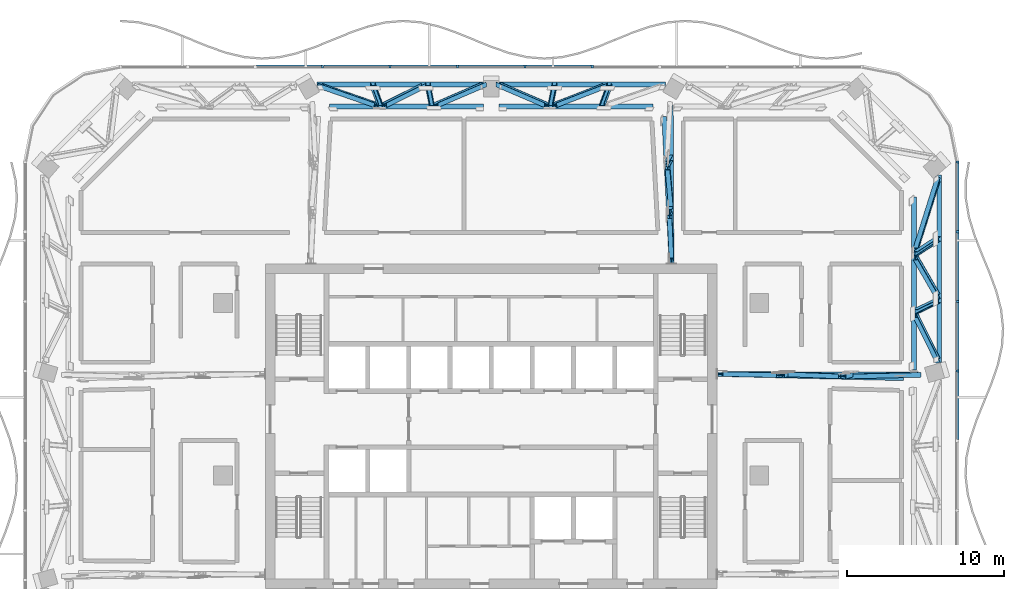
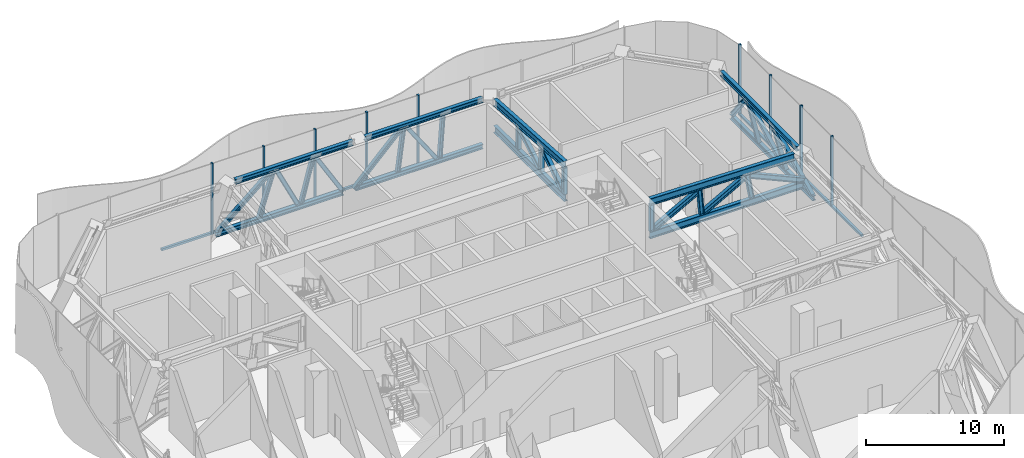
# One storey, part 7 of 29: 53 members, 2 elements without a shape of their own.
"""IFC4 building model written with IfcOpenShell, lengths in metres."""

from ifc_helpers import new_model, si_unit, direction, frame, origin, origin_2d, place, context, subcontext, project, spatial, rectangle, i_section, extrude, material, material_profile, profile_set, type_object, element, aggregate, save


model = new_model("IFC4")

# Units and contexts
model_context = context("Model", 3, precision=1e-05, world=origin(), true_north=direction((0.0, 1.0)))
body_context = subcontext(model_context, "Body", "Model", "MODEL_VIEW")
ifc_project = project(units=[si_unit("LENGTHUNIT", "METRE"), si_unit("AREAUNIT", "SQUARE_METRE"), si_unit("VOLUMEUNIT", "CUBIC_METRE"), si_unit("PLANEANGLEUNIT", "RADIAN"), si_unit("MASSUNIT", "GRAM", prefix="KILO")], contexts=[model_context])

# Site, building, storey
site_placement = place(None, origin())
site = spatial("IfcSite", under=ifc_project, at=site_placement, CompositionType="ELEMENT")
building_placement = place(site_placement, origin())
building = spatial("IfcBuilding", under=site, at=building_placement, Name="Mopane Tessera Tower", CompositionType="ELEMENT")
storey_placement = place(building_placement, frame((0.0, 0.0, 315.39990234375)))
storey = spatial("IfcBuildingStorey", under=building, at=storey_placement, Name="L69", CompositionType="ELEMENT", Elevation=315.39990234375)

# Curtain wall, members
ifc_material_1 = material(Name="Aluminium frame", Category="aluminium")
curtain_wall_type = type_object("IfcCurtainWallType", Name="Plant floor unitised wall", PredefinedType="NOTDEFINED", material=ifc_material_1)
curtain_wall_1_placement = place(storey_placement, origin())
curtain_wall_1 = element("IfcCurtainWall", 1, at=curtain_wall_1_placement, inside=storey, type_object=curtain_wall_type, Name="e:cw:L69:E:0", PredefinedType="NOTDEFINED")
ifc_material_2 = material(Name="Aluminium frame", Category="aluminium")
ifc_material_profile_1 = material_profile(ifc_material_2, rectangle(XDim=0.139892578125, YDim=0.199951171875, at=origin_2d()))
ifc_profile_set_1 = profile_set([ifc_material_profile_1], Name="Aluminium frame")
member_type_1 = type_object("IfcMemberType", Name="Aluminium mullion 140 x 200", PredefinedType="MULLION", material=ifc_profile_set_1)
member_1_placement = place(storey_placement, frame((29.75, 6.666748046875, -0.599853515625), z_axis=(0.0, 0.0, 1.0), x_axis=(0.0, 1.0, 0.0)))
member_1 = element("IfcMember", 2, at=member_1_placement, type_object=member_type_1, Name="e:cw:L69:E:0:mu6", PredefinedType="MULLION", context=body_context, shape_type="SweptSolid", body=[
    extrude(rectangle(XDim=0.139892578125, YDim=0.199951171875, at=origin_2d()), origin(), (0.0, 0.0, 1.0), 6.25),
])
member_2_placement = place(storey_placement, frame((29.75, 11.111083984375, -0.599853515625), z_axis=(0.0, 0.0, 1.0), x_axis=(0.0, 1.0, 0.0)))
member_2 = element("IfcMember", 3, at=member_2_placement, type_object=member_type_1, Name="e:cw:L69:E:0:mu7", PredefinedType="MULLION", context=body_context, shape_type="SweptSolid", body=[
    extrude(rectangle(XDim=0.139892578125, YDim=0.199951171875, at=origin_2d()), origin(), (0.0, 0.0, 1.0), 6.25),
])
member_3_placement = place(storey_placement, frame((29.75, 15.5556640625, -0.599853515625), z_axis=(0.0, 0.0, 1.0), x_axis=(0.0, 1.0, 0.0)))
member_3 = element("IfcMember", 4, at=member_3_placement, type_object=member_type_1, Name="e:cw:L69:E:0:mu8", PredefinedType="MULLION", context=body_context, shape_type="SweptSolid", body=[
    extrude(rectangle(XDim=0.139892578125, YDim=0.199951171875, at=origin_2d()), origin(), (0.0, 0.0, 1.0), 6.25),
])
member_4_placement = place(storey_placement, frame((29.75, 20.0, -0.599853515625), z_axis=(0.0, 0.0, 1.0), x_axis=(0.0, 1.0, 0.0)))
member_4 = element("IfcMember", 5, at=member_4_placement, type_object=member_type_1, Name="e:cw:L69:E:0:mu9", PredefinedType="MULLION", context=body_context, shape_type="SweptSolid", body=[
    extrude(rectangle(XDim=0.139892578125, YDim=0.199951171875, at=origin_2d()), origin(), (0.0, 0.0, 1.0), 6.25),
])

curtain_wall_2_placement = place(storey_placement, origin())
curtain_wall_2 = element("IfcCurtainWall", 6, at=curtain_wall_2_placement, inside=storey, type_object=curtain_wall_type, Name="e:cw:L69:N:0", PredefinedType="NOTDEFINED")
member_5_placement = place(storey_placement, frame((6.449951171875, 26.10009765625, -0.599853515625), z_axis=(0.0, 0.0, 1.0), x_axis=(-1.0, 0.0, 0.0)))
member_5 = element("IfcMember", 7, at=member_5_placement, type_object=member_type_1, Name="e:cw:L69:N:0:mu4", PredefinedType="MULLION", context=body_context, shape_type="SweptSolid", body=[
    extrude(rectangle(XDim=0.139892578125, YDim=0.199951171875, at=origin_2d()), origin(), (0.0, 0.0, 1.0), 6.25),
])
member_6_placement = place(storey_placement, frame((2.14990234375, 26.10009765625, -0.599853515625), z_axis=(0.0, 0.0, 1.0), x_axis=(-1.0, 0.0, 0.0)))
member_6 = element("IfcMember", 8, at=member_6_placement, type_object=member_type_1, Name="e:cw:L69:N:0:mu5", PredefinedType="MULLION", context=body_context, shape_type="SweptSolid", body=[
    extrude(rectangle(XDim=0.139892578125, YDim=0.199951171875, at=origin_2d()), origin(), (0.0, 0.0, 1.0), 6.25),
])
member_7_placement = place(storey_placement, frame((-2.14990234375, 26.10009765625, -0.599853515625), z_axis=(0.0, 0.0, 1.0), x_axis=(-1.0, 0.0, 0.0)))
member_7 = element("IfcMember", 9, at=member_7_placement, type_object=member_type_1, Name="e:cw:L69:N:0:mu6", PredefinedType="MULLION", context=body_context, shape_type="SweptSolid", body=[
    extrude(rectangle(XDim=0.139892578125, YDim=0.199951171875, at=origin_2d()), origin(), (0.0, 0.0, 1.0), 6.25),
])
member_8_placement = place(storey_placement, frame((-6.449951171875, 26.10009765625, -0.599853515625), z_axis=(0.0, 0.0, 1.0), x_axis=(-1.0, 0.0, 0.0)))
member_8 = element("IfcMember", 10, at=member_8_placement, type_object=member_type_1, Name="e:cw:L69:N:0:mu7", PredefinedType="MULLION", context=body_context, shape_type="SweptSolid", body=[
    extrude(rectangle(XDim=0.139892578125, YDim=0.199951171875, at=origin_2d()), origin(), (0.0, 0.0, 1.0), 6.25),
])
member_9_placement = place(storey_placement, frame((-10.75, 26.10009765625, -0.599853515625), z_axis=(0.0, 0.0, 1.0), x_axis=(-1.0, 0.0, 0.0)))
member_9 = element("IfcMember", 11, at=member_9_placement, type_object=member_type_1, Name="e:cw:L69:N:0:mu8", PredefinedType="MULLION", context=body_context, shape_type="SweptSolid", body=[
    extrude(rectangle(XDim=0.139892578125, YDim=0.199951171875, at=origin_2d()), origin(), (0.0, 0.0, 1.0), 6.25),
])

# Member
ifc_material_3 = material(Name="Aluminium frame", Category="aluminium")
ifc_material_profile_2 = material_profile(ifc_material_3, rectangle(XDim=0.199951171875, YDim=0.179931640625, at=origin_2d()))
ifc_profile_set_2 = profile_set([ifc_material_profile_2], Name="Aluminium frame")
member_type_2 = type_object("IfcMemberType", Name="Aluminium transom 200 x 180", PredefinedType="USERDEFINED", material=ifc_profile_set_2)
member_10_placement = place(storey_placement, frame((29.75, 2.292236328125, -0.510009765625), z_axis=(0.0, 1.0, 0.0), x_axis=(-1.0, 0.0, 0.0)))
member_10 = element("IfcMember", 12, at=member_10_placement, type_object=member_type_2, Name="e:cw:L69:E:0:tr5", ObjectType="TRANSOM", PredefinedType="USERDEFINED", context=body_context, shape_type="SweptSolid", body=[
    extrude(rectangle(XDim=0.199951171875, YDim=0.179931640625, at=origin_2d()), origin(), (0.0, 0.0, 1.0), 4.304443359375),
])

member_11_placement = place(storey_placement, frame((29.75, 6.736572265625, -0.510009765625), z_axis=(0.0, 1.0, 0.0), x_axis=(-1.0, 0.0, 0.0)))
member_11 = element("IfcMember", 13, at=member_11_placement, type_object=member_type_2, Name="e:cw:L69:E:0:tr6", ObjectType="TRANSOM", PredefinedType="USERDEFINED", context=body_context, shape_type="SweptSolid", body=[
    extrude(rectangle(XDim=0.199951171875, YDim=0.179931640625, at=origin_2d()), origin(), (0.0, 0.0, 1.0), 4.304443359375),
])

member_12_placement = place(storey_placement, frame((29.75, 11.18115234375, -0.510009765625), z_axis=(0.0, 1.0, 0.0), x_axis=(-1.0, 0.0, 0.0)))
member_12 = element("IfcMember", 14, at=member_12_placement, type_object=member_type_2, Name="e:cw:L69:E:0:tr7", ObjectType="TRANSOM", PredefinedType="USERDEFINED", context=body_context, shape_type="SweptSolid", body=[
    extrude(rectangle(XDim=0.199951171875, YDim=0.179931640625, at=origin_2d()), origin(), (0.0, 0.0, 1.0), 4.304443359375),
])

member_13_placement = place(storey_placement, frame((29.75, 15.62548828125, -0.510009765625), z_axis=(0.0, 1.0, 0.0), x_axis=(-1.0, 0.0, 0.0)))
member_13 = element("IfcMember", 15, at=member_13_placement, type_object=member_type_2, Name="e:cw:L69:E:0:tr8", ObjectType="TRANSOM", PredefinedType="USERDEFINED", context=body_context, shape_type="SweptSolid", body=[
    extrude(rectangle(XDim=0.199951171875, YDim=0.179931640625, at=origin_2d()), origin(), (0.0, 0.0, 1.0), 4.304443359375),
])

aggregate(curtain_wall_1, [member_1, member_2, member_3, member_4, member_10, member_11, member_12, member_13])

member_14_placement = place(storey_placement, frame((6.3798828125, 26.10009765625, -0.510009765625), z_axis=(-1.0, 0.0, 0.0), x_axis=(0.0, -1.0, 0.0)))
member_14 = element("IfcMember", 16, at=member_14_placement, type_object=member_type_2, Name="e:cw:L69:N:0:tr4", ObjectType="TRANSOM", PredefinedType="USERDEFINED", context=body_context, shape_type="SweptSolid", body=[
    extrude(rectangle(XDim=0.199951171875, YDim=0.179931640625, at=origin_2d()), origin(), (0.0, 0.0, 1.0), 4.159912109375),
])

member_15_placement = place(storey_placement, frame((2.080078125, 26.10009765625, -0.510009765625), z_axis=(-1.0, 0.0, 0.0), x_axis=(0.0, -1.0, 0.0)))
member_15 = element("IfcMember", 17, at=member_15_placement, type_object=member_type_2, Name="e:cw:L69:N:0:tr5", ObjectType="TRANSOM", PredefinedType="USERDEFINED", context=body_context, shape_type="SweptSolid", body=[
    extrude(rectangle(XDim=0.199951171875, YDim=0.179931640625, at=origin_2d()), origin(), (0.0, 0.0, 1.0), 4.16015625),
])

member_16_placement = place(storey_placement, frame((-2.219970703125, 26.10009765625, -0.510009765625), z_axis=(-1.0, 0.0, 0.0), x_axis=(0.0, -1.0, 0.0)))
member_16 = element("IfcMember", 18, at=member_16_placement, type_object=member_type_2, Name="e:cw:L69:N:0:tr6", ObjectType="TRANSOM", PredefinedType="USERDEFINED", context=body_context, shape_type="SweptSolid", body=[
    extrude(rectangle(XDim=0.199951171875, YDim=0.179931640625, at=origin_2d()), origin(), (0.0, 0.0, 1.0), 4.159912109375),
])

member_17_placement = place(storey_placement, frame((-6.52001953125, 26.10009765625, -0.510009765625), z_axis=(-1.0, 0.0, 0.0), x_axis=(0.0, -1.0, 0.0)))
member_17 = element("IfcMember", 19, at=member_17_placement, type_object=member_type_2, Name="e:cw:L69:N:0:tr7", ObjectType="TRANSOM", PredefinedType="USERDEFINED", context=body_context, shape_type="SweptSolid", body=[
    extrude(rectangle(XDim=0.199951171875, YDim=0.179931640625, at=origin_2d()), origin(), (0.0, 0.0, 1.0), 4.159912109375),
])

member_18_placement = place(storey_placement, frame((-10.820068359375, 26.10009765625, -0.510009765625), z_axis=(-1.0, 0.0, 0.0), x_axis=(0.0, -1.0, 0.0)))
member_18 = element("IfcMember", 20, at=member_18_placement, type_object=member_type_2, Name="e:cw:L69:N:0:tr8", ObjectType="TRANSOM", PredefinedType="USERDEFINED", context=body_context, shape_type="SweptSolid", body=[
    extrude(rectangle(XDim=0.199951171875, YDim=0.179931640625, at=origin_2d()), origin(), (0.0, 0.0, 1.0), 4.159912109375),
])

aggregate(curtain_wall_2, [member_5, member_6, member_7, member_8, member_9, member_14, member_15, member_16, member_17, member_18])

# Members
ifc_material_4 = material(Name="Structural steel S460", Category="steel")
ifc_material_profile_3 = material_profile(ifc_material_4, i_section(OverallWidth=0.306884765625, OverallDepth=0.431884765625, WebThickness=0.02099609375, FlangeThickness=0.0400390625, FilletRadius=0.027099609375, at=origin_2d()))
ifc_profile_set_3 = profile_set([ifc_material_profile_3], Name="Structural steel S460")
member_type_3 = type_object("IfcMemberType", Name="Belt truss chord HE 400 M", PredefinedType="CHORD", material=ifc_profile_set_3)
member_19_placement = place(storey_placement, frame((28.583251953125, 7.211669921875, 0.216064453125), z_axis=(0.0, 1.0, 0.0), x_axis=(-1.0, 0.0, 0.0)))
element("IfcMember", 21, at=member_19_placement, inside=storey, type_object=member_type_3, Name="Belt truss bottom chord L69 E2-E3", PredefinedType="CHORD", context=body_context, shape_type="SweptSolid", body=[
    extrude(i_section(OverallWidth=0.306884765625, OverallDepth=0.431884765625, WebThickness=0.02099609375, FlangeThickness=0.0400390625, FilletRadius=0.027099609375, at=origin_2d()), origin(), (0.0, 0.0, 1.0), 11.948974609375),
])
member_20_placement = place(storey_placement, frame((26.974609375, 6.747802734375, 5.43408203125), z_axis=(0.0, 1.0, 0.0), x_axis=(-1.0, 0.0, 0.0)))
element("IfcMember", 22, at=member_20_placement, inside=storey, type_object=member_type_3, Name="Belt truss top chord L69 E2-E3", PredefinedType="CHORD", context=body_context, shape_type="SweptSolid", body=[
    extrude(i_section(OverallWidth=0.306884765625, OverallDepth=0.431884765625, WebThickness=0.02099609375, FlangeThickness=0.0400390625, FilletRadius=0.027099609375, at=origin_2d()), origin(), (0.0, 0.0, 1.0), 11.021484375),
])
member_21_placement = place(storey_placement, frame((11.1259765625, 24.9423828125, 0.216064453125), z_axis=(-1.0, 0.0, 0.0), x_axis=(0.0, -1.0, 0.0)))
element("IfcMember", 23, at=member_21_placement, inside=storey, type_object=member_type_3, Name="Belt truss bottom chord L69 N1-N2", PredefinedType="CHORD", context=body_context, shape_type="SweptSolid", body=[
    extrude(i_section(OverallWidth=0.306884765625, OverallDepth=0.431884765625, WebThickness=0.02099609375, FlangeThickness=0.0400390625, FilletRadius=0.027099609375, at=origin_2d()), origin(), (0.0, 0.0, 1.0), 10.62646484375),
])
member_22_placement = place(storey_placement, frame((10.321533203125, 23.55078125, 5.43408203125), z_axis=(-1.0, 0.0, 0.0), x_axis=(0.0, -1.0, 0.0)))
element("IfcMember", 24, at=member_22_placement, inside=storey, type_object=member_type_3, Name="Belt truss top chord L69 N1-N2", PredefinedType="CHORD", context=body_context, shape_type="SweptSolid", body=[
    extrude(i_section(OverallWidth=0.306884765625, OverallDepth=0.431884765625, WebThickness=0.02099609375, FlangeThickness=0.0400390625, FilletRadius=0.027099609375, at=origin_2d()), origin(), (0.0, 0.0, 1.0), 9.822021484375),
])
member_23_placement = place(storey_placement, frame((-0.49951171875, 24.9423828125, 0.216064453125), z_axis=(-1.0, 0.0, 0.0), x_axis=(0.0, -1.0, 0.0)))
element("IfcMember", 25, at=member_23_placement, inside=storey, type_object=member_type_3, Name="Belt truss bottom chord L69 N2-N3", PredefinedType="CHORD", context=body_context, shape_type="SweptSolid", body=[
    extrude(i_section(OverallWidth=0.306884765625, OverallDepth=0.431884765625, WebThickness=0.02099609375, FlangeThickness=0.0400390625, FilletRadius=0.027099609375, at=origin_2d()), origin(), (0.0, 0.0, 1.0), 10.62646484375),
])
member_24_placement = place(storey_placement, frame((-0.49951171875, 23.55078125, 5.43408203125), z_axis=(-1.0, 0.0, 0.0), x_axis=(0.0, -1.0, 0.0)))
element("IfcMember", 26, at=member_24_placement, inside=storey, type_object=member_type_3, Name="Belt truss top chord L69 N2-N3", PredefinedType="CHORD", context=body_context, shape_type="SweptSolid", body=[
    extrude(i_section(OverallWidth=0.306884765625, OverallDepth=0.431884765625, WebThickness=0.02099609375, FlangeThickness=0.0400390625, FilletRadius=0.027099609375, at=origin_2d()), origin(), (0.0, 0.0, 1.0), 9.822021484375),
])
ifc_material_5 = material(Name="Structural steel S460", Category="steel")
ifc_material_profile_4 = material_profile(ifc_material_5, i_section(OverallWidth=0.300048828125, OverallDepth=0.340087890625, WebThickness=0.011962890625, FlangeThickness=0.021484375, FilletRadius=0.027099609375, at=origin_2d()))
ifc_profile_set_4 = profile_set([ifc_material_profile_4], Name="Structural steel S460")
member_type_4 = type_object("IfcMemberType", Name="Belt truss diagonal HE 340 B", PredefinedType="BRACE", material=ifc_profile_set_4)
member_25_placement = place(storey_placement, frame((28.49462890625, 7.3359375, 0.503662109375), z_axis=(-0.253306018781, 0.510673229061, 0.821613603812), x_axis=(-0.967386200464, -0.133718232126, -0.215135709607)))
element("IfcMember", 27, at=member_25_placement, inside=storey, type_object=member_type_4, Name="Belt truss diagonal 0 L69 E2-E3", PredefinedType="BRACE", context=body_context, shape_type="SweptSolid", body=[
    extrude(i_section(OverallWidth=0.300048828125, OverallDepth=0.340087890625, WebThickness=0.011962890625, FlangeThickness=0.021484375, FilletRadius=0.027099609375, at=origin_2d()), origin(), (0.0, 0.0, 1.0), 5.65087890625),
])
member_26_placement = place(storey_placement, frame((28.49560546875, 11.4228515625, 0.500244140625), z_axis=(-0.262367213217, 0.454751960772, 0.851095822809), x_axis=(-0.964968100359, -0.123548841915, -0.231456797158)))
element("IfcMember", 28, at=member_26_placement, inside=storey, type_object=member_type_4, Name="Belt truss diagonal 1 L69 E2-E3", PredefinedType="BRACE", context=body_context, shape_type="SweptSolid", body=[
    extrude(i_section(OverallWidth=0.300048828125, OverallDepth=0.340087890625, WebThickness=0.011962890625, FlangeThickness=0.021484375, FilletRadius=0.027099609375, at=origin_2d()), origin(), (0.0, 0.0, 1.0), 5.463134765625),
])
member_27_placement = place(storey_placement, frame((27.063232421875, 14.396728515625, 5.146484375), z_axis=(0.215656055351, 0.68132306213, -0.699493638856), x_axis=(-0.976469388038, 0.150469293211, -0.154487947832)))
element("IfcMember", 29, at=member_27_placement, inside=storey, type_object=member_type_4, Name="Belt truss diagonal 2 L69 E2-E3", PredefinedType="BRACE", context=body_context, shape_type="SweptSolid", body=[
    extrude(i_section(OverallWidth=0.300048828125, OverallDepth=0.340087890625, WebThickness=0.011962890625, FlangeThickness=0.021484375, FilletRadius=0.027099609375, at=origin_2d()), origin(), (0.0, 0.0, 1.0), 6.637451171875),
])
member_28_placement = place(storey_placement, frame((7.265380859375, 24.86962890625, 0.489013671875), z_axis=(-0.554643028362, -0.214429481651, 0.803984520055), x_axis=(0.121783123263, -0.976739472372, -0.176490435997)))
element("IfcMember", 30, at=member_28_placement, inside=storey, type_object=member_type_4, Name="Belt truss diagonal 1 L69 N1-N2", PredefinedType="BRACE", context=body_context, shape_type="SweptSolid", body=[
    extrude(i_section(OverallWidth=0.300048828125, OverallDepth=0.340087890625, WebThickness=0.011962890625, FlangeThickness=0.021484375, FilletRadius=0.027099609375, at=origin_2d()), origin(), (0.0, 0.0, 1.0), 5.811279296875),
])
for number, where, z_axis, x_axis, name in (
    (31, (3.53662109375, 23.624755859375, 5.1572265625), (-0.514516400372, 0.220925514314, -0.828531707826), (-0.116524647669, -0.975290682976, -0.187696803877), "Belt truss diagonal 2 L69 N1-N2"),
    (32, (-0.44921875, 24.950439453125, 0.185546875), (-0.514516400372, -0.220925514314, 0.828531707826), (0.116524647669, -0.975290682976, -0.187696803877), "Belt truss diagonal 0 L69 N2-N3"),
):
    element("IfcMember", number, at=place(storey_placement, frame(where, z_axis=z_axis, x_axis=x_axis)), inside=storey, type_object=member_type_4, Name=name, PredefinedType="BRACE", context=body_context, shape_type="SweptSolid", body=[
        extrude(i_section(OverallWidth=0.300048828125, OverallDepth=0.340087890625, WebThickness=0.011962890625, FlangeThickness=0.021484375, FilletRadius=0.027099609375, at=origin_2d()), origin(), (0.0, 0.0, 1.0), 6.00048828125),
    ])
member_29_placement = place(storey_placement, frame((-4.306396484375, 24.86962890625, 0.489013671875), z_axis=(-0.461243661488, -0.228650703985, 0.857305744939), x_axis=(0.108365720861, -0.973508528112, -0.201340547917)))
element("IfcMember", 33, at=member_29_placement, inside=storey, type_object=member_type_4, Name="Belt truss diagonal 1 L69 N2-N3", PredefinedType="BRACE", context=body_context, shape_type="SweptSolid", body=[
    extrude(i_section(OverallWidth=0.300048828125, OverallDepth=0.340087890625, WebThickness=0.011962890625, FlangeThickness=0.021484375, FilletRadius=0.027099609375, at=origin_2d()), origin(), (0.0, 0.0, 1.0), 5.44970703125),
])
member_30_placement = place(storey_placement, frame((-7.326416015625, 23.624755859375, 5.1572265625), z_axis=(-0.596995763075, 0.20672104206, -0.775153191079), x_axis=(-0.126136762894, -0.978399923737, -0.16377761226)))
element("IfcMember", 34, at=member_30_placement, inside=storey, type_object=member_type_4, Name="Belt truss diagonal 2 L69 N2-N3", PredefinedType="BRACE", context=body_context, shape_type="SweptSolid", body=[
    extrude(i_section(OverallWidth=0.300048828125, OverallDepth=0.340087890625, WebThickness=0.011962890625, FlangeThickness=0.021484375, FilletRadius=0.027099609375, at=origin_2d()), origin(), (0.0, 0.0, 1.0), 6.017333984375),
])
ifc_material_6 = material(Name="Structural steel S460", Category="steel")
ifc_material_profile_5 = material_profile(ifc_material_6, i_section(OverallWidth=0.300048828125, OverallDepth=0.300048828125, WebThickness=0.010986328125, FlangeThickness=0.01904296875, FilletRadius=0.027099609375, at=origin_2d()))
ifc_profile_set_5 = profile_set([ifc_material_profile_5], Name="Structural steel S460")
member_type_5 = type_object("IfcMemberType", Name="Belt truss post HE 300 B", PredefinedType="POST", material=ifc_profile_set_5)
member_31_placement = place(storey_placement, frame((28.5166015625, 11.1708984375, 0.43212890625), z_axis=(-0.291615590577, -0.14173009921, 0.945977233505), x_axis=(-0.956535595718, 0.043169287221, -0.288402612271)))
element("IfcMember", 35, at=member_31_placement, inside=storey, type_object=member_type_5, Name="Belt truss post 1 L69 E2-E3", PredefinedType="POST", context=body_context, shape_type="SweptSolid", body=[
    extrude(i_section(OverallWidth=0.300048828125, OverallDepth=0.300048828125, WebThickness=0.010986328125, FlangeThickness=0.01904296875, FilletRadius=0.027099609375, at=origin_2d()), origin(), (0.0, 0.0, 1.0), 5.05908203125),
])
member_32_placement = place(storey_placement, frame((28.5166015625, 15.10888671875, 0.43212890625), z_axis=(-0.289217477998, -0.19009959004, 0.938197951547), x_axis=(-0.95726341728, 0.057415308249, -0.283461165447)))
element("IfcMember", 36, at=member_32_placement, inside=storey, type_object=member_type_5, Name="Belt truss post 2 L69 E2-E3", PredefinedType="POST", context=body_context, shape_type="SweptSolid", body=[
    extrude(i_section(OverallWidth=0.300048828125, OverallDepth=0.300048828125, WebThickness=0.010986328125, FlangeThickness=0.01904296875, FilletRadius=0.027099609375, at=origin_2d()), origin(), (0.0, 0.0, 1.0), 5.10107421875),
])
member_33_placement = place(storey_placement, frame((7.542236328125, 24.884765625, 0.43212890625), z_axis=(-0.095139442992, -0.256518312512, 0.961845539436), x_axis=(0.025189609701, -0.966539369047, -0.255278537375)))
element("IfcMember", 37, at=member_33_placement, inside=storey, type_object=member_type_5, Name="Belt truss post 1 L69 N1-N2", PredefinedType="POST", context=body_context, shape_type="SweptSolid", body=[
    extrude(i_section(OverallWidth=0.300048828125, OverallDepth=0.300048828125, WebThickness=0.010986328125, FlangeThickness=0.01904296875, FilletRadius=0.027099609375, at=origin_2d()), origin(), (0.0, 0.0, 1.0), 4.975830078125),
])
for number, where, z_axis, x_axis, name in (
    (38, (4.038330078125, 24.884765625, 0.43212890625), (-0.051096004315, -0.257350588206, 0.964966254899), (0.0136135181, -0.966318102242, -0.256990267139), "Belt truss post 2 L69 N1-N2"),
    (39, (-4.038330078125, 24.884765625, 0.43212890625), (0.051096004315, -0.257350588206, 0.964966254899), (-0.0136135181, -0.966318102242, -0.256990267139), "Belt truss post 1 L69 N2-N3"),
):
    element("IfcMember", number, at=place(storey_placement, frame(where, z_axis=z_axis, x_axis=x_axis)), inside=storey, type_object=member_type_5, Name=name, PredefinedType="POST", context=body_context, shape_type="SweptSolid", body=[
        extrude(i_section(OverallWidth=0.300048828125, OverallDepth=0.300048828125, WebThickness=0.010986328125, FlangeThickness=0.01904296875, FilletRadius=0.027099609375, at=origin_2d()), origin(), (0.0, 0.0, 1.0), 4.959716796875),
    ])
member_34_placement = place(storey_placement, frame((-7.542236328125, 24.884765625, 0.43212890625), z_axis=(0.095139442992, -0.256518312512, 0.961845539436), x_axis=(-0.025189609701, -0.966539369047, -0.255278537375)))
element("IfcMember", 40, at=member_34_placement, inside=storey, type_object=member_type_5, Name="Belt truss post 2 L69 N2-N3", PredefinedType="POST", context=body_context, shape_type="SweptSolid", body=[
    extrude(i_section(OverallWidth=0.300048828125, OverallDepth=0.300048828125, WebThickness=0.010986328125, FlangeThickness=0.01904296875, FilletRadius=0.027099609375, at=origin_2d()), origin(), (0.0, 0.0, 1.0), 4.975830078125),
])
ifc_material_7 = material(Name="Structural steel S460", Category="steel")
ifc_material_profile_6 = material_profile(ifc_material_7, i_section(OverallWidth=0.304931640625, OverallDepth=0.6201171875, WebThickness=0.02099609375, FlangeThickness=0.0400390625, FilletRadius=0.027099609375, at=origin_2d()))
ifc_profile_set_6 = profile_set([ifc_material_profile_6], Name="Structural steel S460")
member_type_6 = type_object("IfcMemberType", Name="Outrigger truss chord HE 600 M", PredefinedType="CHORD", material=ifc_profile_set_6)
member_35_placement = place(storey_placement, frame((14.414794921875, 6.47998046875, 2.41015625), z_axis=(0.999997916746, -0.002041201394, 0.0), x_axis=(0.002041201394, 0.999997916746, 0.0)))
element("IfcMember", 41, at=member_35_placement, inside=storey, type_object=member_type_6, Name="Outrigger truss bottom chord L69 E2", PredefinedType="CHORD", context=body_context, shape_type="SweptSolid", body=[
    extrude(i_section(OverallWidth=0.304931640625, OverallDepth=0.6201171875, WebThickness=0.02099609375, FlangeThickness=0.0400390625, FilletRadius=0.027099609375, at=origin_2d()), origin(), (0.0, 0.0, 1.0), 12.7978515625),
])
member_36_placement = place(storey_placement, frame((14.414794921875, 6.479736328125, 5.340087890625), z_axis=(0.999738976963, -0.022846836568, 0.0), x_axis=(0.022846836568, 0.999738976963, 0.0)))
element("IfcMember", 42, at=member_36_placement, inside=storey, type_object=member_type_6, Name="Outrigger truss top chord L69 E2", PredefinedType="CHORD", context=body_context, shape_type="SweptSolid", body=[
    extrude(i_section(OverallWidth=0.304931640625, OverallDepth=0.6201171875, WebThickness=0.02099609375, FlangeThickness=0.0400390625, FilletRadius=0.027099609375, at=origin_2d()), origin(), (0.0, 0.0, 1.0), 11.8935546875),
])
member_37_placement = place(storey_placement, frame((11.501220703125, 13.51513671875, 2.41015625), z_axis=(-0.004417899042, 0.999990241036, 0.0), x_axis=(-0.999990241036, -0.004417899042, 0.0)))
element("IfcMember", 43, at=member_37_placement, inside=storey, type_object=member_type_6, Name="Outrigger truss bottom chord L69 N1", PredefinedType="CHORD", context=body_context, shape_type="SweptSolid", body=[
    extrude(i_section(OverallWidth=0.304931640625, OverallDepth=0.6201171875, WebThickness=0.02099609375, FlangeThickness=0.0400390625, FilletRadius=0.027099609375, at=origin_2d()), origin(), (0.0, 0.0, 1.0), 10.11279296875),
])
member_38_placement = place(storey_placement, frame((11.50048828125, 13.51513671875, 5.340087890625), z_axis=(-0.04952678276, 0.99877279588, 0.0), x_axis=(-0.99877279588, -0.04952678276, 0.0)))
element("IfcMember", 44, at=member_38_placement, inside=storey, type_object=member_type_6, Name="Outrigger truss top chord L69 N1", PredefinedType="CHORD", context=body_context, shape_type="SweptSolid", body=[
    extrude(i_section(OverallWidth=0.304931640625, OverallDepth=0.6201171875, WebThickness=0.02099609375, FlangeThickness=0.0400390625, FilletRadius=0.027099609375, at=origin_2d()), origin(), (0.0, 0.0, 1.0), 9.3955078125),
])
ifc_material_8 = material(Name="Structural steel S460", Category="steel")
ifc_material_profile_7 = material_profile(ifc_material_8, i_section(OverallWidth=0.300048828125, OverallDepth=0.449951171875, WebThickness=0.013916015625, FlangeThickness=0.02587890625, FilletRadius=0.027099609375, at=origin_2d()))
ifc_profile_set_7 = profile_set([ifc_material_profile_7], Name="Structural steel S460")
member_type_7 = type_object("IfcMemberType", Name="Outrigger truss diagonal HE 450 B", PredefinedType="BRACE", material=ifc_profile_set_7)
member_39_placement = place(storey_placement, frame((14.840576171875, 6.477783203125, 2.89990234375), z_axis=(0.87115482148, -0.018241185983, 0.490669477496), x_axis=(0.016385870183, 0.999833112573, 0.008077763394)))
element("IfcMember", 45, at=member_39_placement, inside=storey, type_object=member_type_7, Name="Outrigger truss diagonal 0 L69 E2", PredefinedType="BRACE", context=body_context, shape_type="SweptSolid", body=[
    extrude(i_section(OverallWidth=0.300048828125, OverallDepth=0.449951171875, WebThickness=0.013916015625, FlangeThickness=0.02587890625, FilletRadius=0.027099609375, at=origin_2d()), origin(), (0.0, 0.0, 1.0), 3.97509765625),
])
member_40_placement = place(storey_placement, frame((18.9814453125, 6.45556640625, 2.89990234375), z_axis=(0.858780216569, -0.033086621355, 0.511274696339), x_axis=(0.02896148296, 0.999451947802, 0.016032359141)))
element("IfcMember", 46, at=member_40_placement, inside=storey, type_object=member_type_7, Name="Outrigger truss diagonal 1 L69 E2", PredefinedType="BRACE", context=body_context, shape_type="SweptSolid", body=[
    extrude(i_section(OverallWidth=0.300048828125, OverallDepth=0.449951171875, WebThickness=0.013916015625, FlangeThickness=0.02587890625, FilletRadius=0.027099609375, at=origin_2d()), origin(), (0.0, 0.0, 1.0), 3.81494140625),
])
member_41_placement = place(storey_placement, frame((22.7255859375, 6.320556640625, 4.847412109375), z_axis=(0.90873619253, 0.020666294962, -0.416859012903), x_axis=(-0.018429745366, 0.999786068017, 0.009389498671)))
element("IfcMember", 47, at=member_41_placement, inside=storey, type_object=member_type_7, Name="Outrigger truss diagonal 2 L69 E2", PredefinedType="BRACE", context=body_context, shape_type="SweptSolid", body=[
    extrude(i_section(OverallWidth=0.300048828125, OverallDepth=0.449951171875, WebThickness=0.013916015625, FlangeThickness=0.02587890625, FilletRadius=0.027099609375, at=origin_2d()), origin(), (0.0, 0.0, 1.0), 5.04443359375),
])
member_42_placement = place(storey_placement, frame((11.495849609375, 13.970458984375, 2.87841796875), z_axis=(-0.037430039628, 0.78866145746, 0.613687296308), x_axis=(-0.999295714762, -0.031173882867, -0.020886921376)))
element("IfcMember", 48, at=member_42_placement, inside=storey, type_object=member_type_7, Name="Outrigger truss diagonal 0 L69 N1", PredefinedType="BRACE", context=body_context, shape_type="SweptSolid", body=[
    extrude(i_section(OverallWidth=0.300048828125, OverallDepth=0.449951171875, WebThickness=0.013916015625, FlangeThickness=0.02587890625, FilletRadius=0.027099609375, at=origin_2d()), origin(), (0.0, 0.0, 1.0), 3.248291015625),
])
member_43_placement = place(storey_placement, frame((11.459228515625, 17.242919921875, 2.87841796875), z_axis=(-0.068861211155, 0.767388712521, 0.637473683766), x_axis=(-0.997622398362, -0.054744331684, -0.041864166471)))
element("IfcMember", 49, at=member_43_placement, inside=storey, type_object=member_type_7, Name="Outrigger truss diagonal 1 L69 N1", PredefinedType="BRACE", context=body_context, shape_type="SweptSolid", body=[
    extrude(i_section(OverallWidth=0.300048828125, OverallDepth=0.449951171875, WebThickness=0.013916015625, FlangeThickness=0.02587890625, FilletRadius=0.027099609375, at=origin_2d()), origin(), (0.0, 0.0, 1.0), 3.126953125),
])
ifc_material_9 = material(Name="Structural steel S460", Category="steel")
ifc_material_profile_8 = material_profile(ifc_material_9, i_section(OverallWidth=0.300048828125, OverallDepth=0.360107421875, WebThickness=0.012451171875, FlangeThickness=0.0224609375, FilletRadius=0.027099609375, at=origin_2d()))
ifc_profile_set_8 = profile_set([ifc_material_profile_8], Name="Structural steel S460")
member_type_8 = type_object("IfcMemberType", Name="Outrigger truss post HE 360 B", PredefinedType="POST", material=ifc_profile_set_8)
member_44_placement = place(storey_placement, frame((14.594482421875, 6.479248046875, 2.72021484375), z_axis=(-0.004439229719, -0.001268351348, 0.999989342205), x_axis=(0.004490773955, 0.999989086574, 0.001288286814)))
element("IfcMember", 50, at=member_44_placement, inside=storey, type_object=member_type_8, Name="Outrigger truss post 0 L69 E2", PredefinedType="POST", context=body_context, shape_type="SweptSolid", body=[
    extrude(i_section(OverallWidth=0.300048828125, OverallDepth=0.360107421875, WebThickness=0.012451171875, FlangeThickness=0.0224609375, FilletRadius=0.027099609375, at=origin_2d()), origin(), (0.0, 0.0, 1.0), 2.309814453125),
])
member_45_placement = place(storey_placement, frame((18.75244140625, 6.462158203125, 2.72021484375), z_axis=(-0.099556408627, -0.02869999953, 0.994617932439), x_axis=(-0.000750394843, 0.999585826904, 0.028768238752)))
element("IfcMember", 51, at=member_45_placement, inside=storey, type_object=member_type_8, Name="Outrigger truss post 1 L69 E2", PredefinedType="POST", context=body_context, shape_type="SweptSolid", body=[
    extrude(i_section(OverallWidth=0.300048828125, OverallDepth=0.360107421875, WebThickness=0.012451171875, FlangeThickness=0.0224609375, FilletRadius=0.027099609375, at=origin_2d()), origin(), (0.0, 0.0, 1.0), 2.322265625),
])
member_46_placement = place(storey_placement, frame((22.91015625, 6.445068359375, 2.72021484375), z_axis=(-0.191711204082, -0.05530728416, 0.979891789204), x_axis=(-0.008757230485, 0.99846758358, 0.054642432724)))
element("IfcMember", 52, at=member_46_placement, inside=storey, type_object=member_type_8, Name="Outrigger truss post 2 L69 E2", PredefinedType="POST", context=body_context, shape_type="SweptSolid", body=[
    extrude(i_section(OverallWidth=0.300048828125, OverallDepth=0.360107421875, WebThickness=0.012451171875, FlangeThickness=0.0224609375, FilletRadius=0.027099609375, at=origin_2d()), origin(), (0.0, 0.0, 1.0), 2.357177734375),
])
member_47_placement = place(storey_placement, frame((11.49951171875, 13.69482421875, 2.72021484375), z_axis=(-0.002853775597, -0.004861988055, 0.999984108392), x_axis=(-0.999993518377, 0.002209118493, -0.002843061573)))
element("IfcMember", 53, at=member_47_placement, inside=storey, type_object=member_type_8, Name="Outrigger truss post 0 L69 N1", PredefinedType="POST", context=body_context, shape_type="SweptSolid", body=[
    extrude(i_section(OverallWidth=0.300048828125, OverallDepth=0.360107421875, WebThickness=0.012451171875, FlangeThickness=0.0224609375, FilletRadius=0.027099609375, at=origin_2d()), origin(), (0.0, 0.0, 1.0), 2.309814453125),
])
member_48_placement = place(storey_placement, frame((11.47021484375, 16.980224609375, 2.72021484375), z_axis=(-0.049538732477, -0.085719887407, 0.995086938356), x_axis=(-0.998761886418, -0.000276806951, -0.049745528609)))
element("IfcMember", 54, at=member_48_placement, inside=storey, type_object=member_type_8, Name="Outrigger truss post 1 L69 N1", PredefinedType="POST", context=body_context, shape_type="SweptSolid", body=[
    extrude(i_section(OverallWidth=0.300048828125, OverallDepth=0.360107421875, WebThickness=0.012451171875, FlangeThickness=0.0224609375, FilletRadius=0.027099609375, at=origin_2d()), origin(), (0.0, 0.0, 1.0), 2.3212890625),
])
member_49_placement = place(storey_placement, frame((11.441162109375, 20.265625, 2.72021484375), z_axis=(-0.095055427677, -0.164479097018, 0.98178973936), x_axis=(-0.99546182365, 0.01125018683, -0.0944943964)))
element("IfcMember", 55, at=member_49_placement, inside=storey, type_object=member_type_8, Name="Outrigger truss post 2 L69 N1", PredefinedType="POST", context=body_context, shape_type="SweptSolid", body=[
    extrude(i_section(OverallWidth=0.300048828125, OverallDepth=0.360107421875, WebThickness=0.012451171875, FlangeThickness=0.0224609375, FilletRadius=0.027099609375, at=origin_2d()), origin(), (0.0, 0.0, 1.0), 2.3525390625),
])

save(model, "model.ifc")
